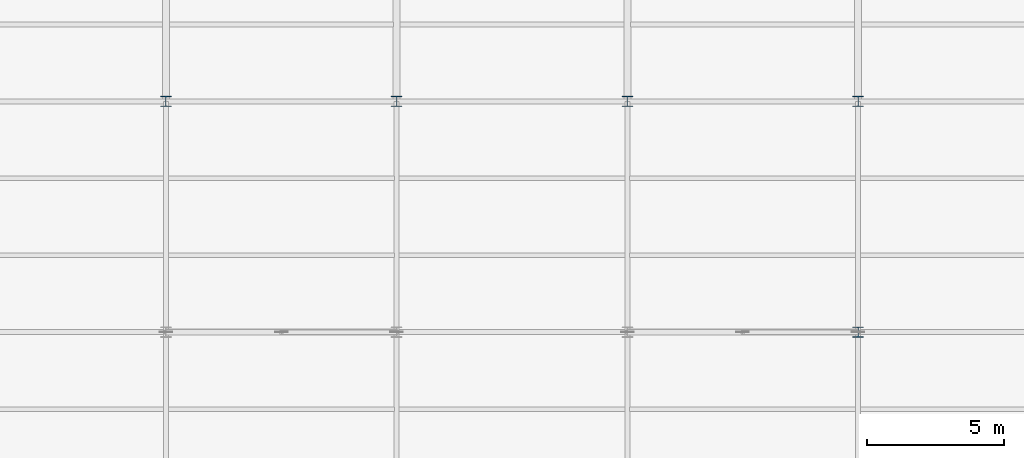
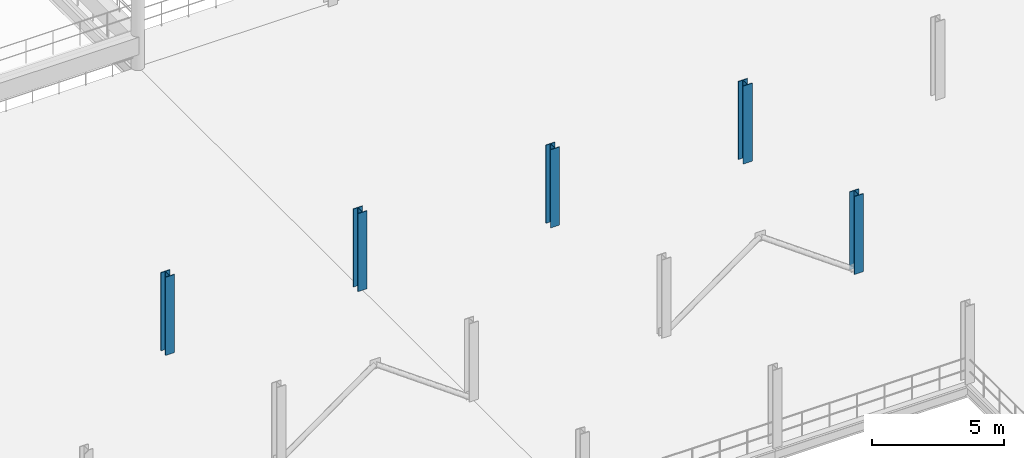
# One storey, part 10 of 101: 5 columns.
"""IFC4 building model written with IfcOpenShell, lengths in metres."""

import ifcopenshell
import ifcopenshell.guid

model = None  # the IFC model being written
_history = None  # IfcOwnerHistory: only IFC2X3 demands one
_inside = {}  # id of a spatial element -> (the spatial element, [elements in it])
_under = {}  # id of a project, library or spatial element -> (it, [spatial elements below it])
_declared = {}  # id of a project -> (the project, [libraries it declares])
_typed = {}  # id of a type object -> (the type object, [elements of that type])
_made_of = {}  # id of a material, layer set ... -> (it, [elements and type objects made of it])


def new_model(schema):
    """Start an empty IFC model of exactly this schema.

    Asked for "IFC4X3", IfcOpenShell would pick the latest addendum, in which some entities
    have other attributes; the version numbers below select the first issue.
    IFC2X3 requires an IfcOwnerHistory on every rooted entity: one is made here for all.
    """
    global model, _history
    if schema == "IFC4X3":
        model = ifcopenshell.file(schema_version=(4, 3, 0, 0))
    else:
        model = ifcopenshell.file(schema=schema)
    _inside.clear()
    _under.clear()
    _declared.clear()
    _typed.clear()
    _made_of.clear()
    _history = None
    if model.schema == "IFC2X3":
        org = make("IfcOrganization", Name="unknown")
        user = make(
            "IfcPersonAndOrganization",
            ThePerson=make("IfcPerson", FamilyName="unknown"),
            TheOrganization=org,
        )
        app = make(
            "IfcApplication",
            ApplicationDeveloper=org,
            Version="unknown",
            ApplicationFullName="unknown",
            ApplicationIdentifier="unknown",
        )
        _history = make(
            "IfcOwnerHistory",
            OwningUser=user,
            OwningApplication=app,
            ChangeAction="ADDED",
            CreationDate=0,
        )
    return model


def make(cls, **values):
    """One entity of the class cls with the attributes given. An attribute that is None is left unset."""
    return model.create_entity(
        cls, **{name: value for name, value in values.items() if value is not None}
    )


def rooted(cls, **values):
    """An entity with a GlobalId (a new one), such as an element, a storey or a relation."""
    return make(cls, GlobalId=ifcopenshell.guid.new(), OwnerHistory=_history, **values)


def si_unit(unit_type, name, prefix=None):
    """IfcSIUnit, for example si_unit("LENGTHUNIT", "METRE", prefix="MILLI")."""
    return make("IfcSIUnit", UnitType=unit_type, Prefix=prefix, Name=name)


def assignment(units):
    """IfcUnitAssignment: the units of a project."""
    return None if units is None else make("IfcUnitAssignment", Units=units)


def point(xyz):
    """IfcCartesianPoint."""
    return None if xyz is None else make("IfcCartesianPoint", Coordinates=xyz)


def direction(xyz):
    """IfcDirection."""
    return None if xyz is None else make("IfcDirection", DirectionRatios=xyz)


def frame(location, z_axis=None, x_axis=None):
    """IfcAxis2Placement3D, a coordinate frame: its origin and axes. An axis left out is left unset."""
    return make(
        "IfcAxis2Placement3D",
        Location=point(location),
        Axis=direction(z_axis),
        RefDirection=direction(x_axis),
    )


def frame_2d(location, x_axis=None):
    """IfcAxis2Placement2D, a coordinate frame in the plane: its origin and x axis."""
    return make(
        "IfcAxis2Placement2D", Location=point(location), RefDirection=direction(x_axis)
    )


def origin():
    """The frame at (0, 0, 0) with its axes left unset."""
    return frame((0.0, 0.0, 0.0))


def origin_2d():
    """The frame at (0, 0) in the plane with its x axis left unset."""
    return frame_2d((0.0, 0.0))


def place(relative_to, where):
    """IfcLocalPlacement: puts the frame where relative to a parent placement (None: the world)."""
    return make(
        "IfcLocalPlacement", PlacementRelTo=relative_to, RelativePlacement=where
    )


def context(
    kind, dimensions, precision=None, world=None, true_north=None, identifier=None
):
    """IfcGeometricRepresentationContext, for example the 3D "Model" context."""
    return make(
        "IfcGeometricRepresentationContext",
        ContextIdentifier=identifier,
        ContextType=kind,
        CoordinateSpaceDimension=dimensions,
        Precision=precision,
        WorldCoordinateSystem=world,
        TrueNorth=true_north,
    )


def subcontext(parent, identifier, kind, view, scale=None):
    """IfcGeometricRepresentationSubContext, for example "Body" below "Model"."""
    return make(
        "IfcGeometricRepresentationSubContext",
        ContextIdentifier=identifier,
        ContextType=kind,
        ParentContext=parent,
        TargetScale=scale,
        TargetView=view,
    )


def project(units=None, contexts=None):
    """IfcProject with its units and contexts."""
    return rooted(
        "IfcProject",
        Name="project",
        RepresentationContexts=contexts,
        UnitsInContext=assignment(units),
    )


def spatial(cls, under=None, at=None, **own):
    """A site, building, storey or space (cls), placed at a placement, below another one or the project."""
    s = rooted(cls, ObjectPlacement=at, **own)
    if under is not None:
        _under.setdefault(under.id(), (under, []))[1].append(s)
    return s


def profile(cls, at=None, kind="AREA", **sizes):
    """A parametric profile (cls). Its sizes go by their IFC names, for example OverallWidth=200.0."""
    return make(cls, ProfileType=kind, Position=at, **sizes)


def i_section(**sizes):
    """IfcIShapeProfileDef."""
    return profile("IfcIShapeProfileDef", **sizes)


def extrude(swept, where, along, depth):
    """IfcExtrudedAreaSolid: the profile swept, set in the frame where, extruded along a direction by depth."""
    return make(
        "IfcExtrudedAreaSolid",
        SweptArea=swept,
        Position=where,
        ExtrudedDirection=direction(along),
        Depth=depth,
    )


def shape(context_of_items, identifier, shape_type, items):
    """IfcShapeRepresentation: the items that make up one representation, for example the "Body"."""
    return make(
        "IfcShapeRepresentation",
        ContextOfItems=context_of_items,
        RepresentationIdentifier=identifier,
        RepresentationType=shape_type,
        Items=items,
    )


def material(Name=None, Category=None):
    """IfcMaterial."""
    return make("IfcMaterial", Name=Name, Category=Category)


def material_profile(
    of_material, cross_section, Name=None, Category=None, Priority=None
):
    """IfcMaterialProfile: a cross section and its material."""
    return make(
        "IfcMaterialProfile",
        Name=Name,
        Material=of_material,
        Profile=cross_section,
        Priority=Priority,
        Category=Category,
    )


def profile_set(profiles, Name=None, composite=None):
    """IfcMaterialProfileSet."""
    return make(
        "IfcMaterialProfileSet",
        Name=Name,
        MaterialProfiles=profiles,
        CompositeProfile=composite,
    )


def made_of(thing, what):
    """Note that an element or type object is made of a material, layer set ...; save() writes the relation."""
    if what is not None:
        _made_of.setdefault(what.id(), (what, []))[1].append(thing)
    return thing


def type_object(cls, material=None, **own):
    """A type object (cls), such as IfcWallType, which elements share."""
    return made_of(rooted(cls, **own), material)


def element(
    cls,
    number,
    at=None,
    inside=None,
    cuts=None,
    type_object=None,
    material=None,
    context=None,
    identifier="Body",
    shape_type=None,
    held_by="IfcProductDefinitionShape",
    body=None,
    shapes=None,
    **own,
):
    """One element of the class cls, such as IfcWall. Its Tag is "e" and its number.

    at: its placement. inside: the storey or other place that contains it. cuts: it is an
    opening in that element (IfcRelVoidsElement). A single representation is given by context,
    identifier, shape_type and body (its items); several are given by shapes. held_by: the class
    of the entity that holds the representations. save() writes the other relations.
    """
    e = rooted(cls, Tag="e%d" % number, ObjectPlacement=at, **own)
    if body is not None:
        shapes = [shape(context, identifier, shape_type, body)]
    if shapes is not None:
        e.Representation = make(held_by, Representations=shapes)
    if inside is not None:
        _inside.setdefault(inside.id(), (inside, []))[1].append(e)
    if cuts is not None:
        rooted(
            "IfcRelVoidsElement", RelatingBuildingElement=cuts, RelatedOpeningElement=e
        )
    if type_object is not None:
        _typed.setdefault(type_object.id(), (type_object, []))[1].append(e)
    return made_of(e, material)


def aggregate(whole, parts):
    """IfcRelAggregates: a whole, such as a stair, and the parts it consists of."""
    return rooted("IfcRelAggregates", RelatingObject=whole, RelatedObjects=parts)


def save(model, path):
    """Write the relations noted so far, then the file.

    IfcRelAggregates (storeys below a building ...), IfcRelContainedInSpatialStructure (elements
    in a storey), IfcRelDefinesByType, IfcRelAssociatesMaterial and IfcRelDeclares: one each for
    every whole, place, type object, material and project.
    """
    for whole, parts in _under.values():
        aggregate(whole, parts)
    for where, things in _inside.values():
        rooted(
            "IfcRelContainedInSpatialStructure",
            RelatedElements=things,
            RelatingStructure=where,
        )
    for kind, things in _typed.values():
        rooted("IfcRelDefinesByType", RelatedObjects=things, RelatingType=kind)
    for what, things in _made_of.values():
        rooted("IfcRelAssociatesMaterial", RelatedObjects=things, RelatingMaterial=what)
    for by, libraries in _declared.values():
        rooted("IfcRelDeclares", RelatingContext=by, RelatedDefinitions=libraries)
    model.write(path)


model = new_model("IFC4")

# Units and contexts
model_context = context("Model", 3, precision=1e-05, world=origin(), true_north=direction((0.0, 1.0)))
body_context = subcontext(model_context, "Body", "Model", "MODEL_VIEW")
ifc_project = project(units=[si_unit("LENGTHUNIT", "METRE"), si_unit("AREAUNIT", "SQUARE_METRE"), si_unit("VOLUMEUNIT", "CUBIC_METRE"), si_unit("PLANEANGLEUNIT", "RADIAN"), si_unit("MASSUNIT", "GRAM", prefix="KILO"), si_unit("THERMODYNAMICTEMPERATUREUNIT", "KELVIN"), si_unit("POWERUNIT", "WATT")], contexts=[model_context])

# Site, building, storey
site_placement = place(None, origin())
site = spatial("IfcSite", under=ifc_project, at=site_placement, CompositionType="ELEMENT")
building_placement = place(site_placement, origin())
building = spatial("IfcBuilding", under=site, at=building_placement, Name="Tembeka Court Mobility Hub", CompositionType="ELEMENT")
storey_placement = place(building_placement, frame((0.0, 0.0, 5.39990234375)))
storey = spatial("IfcBuildingStorey", under=building, at=storey_placement, Name="L01", CompositionType="ELEMENT", Elevation=5.39990234375)

# Columns
ifc_material = material(Name="Steel S355", Category="steel")
ifc_material_profile = material_profile(ifc_material, i_section(OverallWidth=0.39501953125, OverallDepth=0.381103515625, WebThickness=0.018310546875, FlangeThickness=0.0302734375, FilletRadius=0.01513671875, at=origin_2d()), Name="UKC 356x406x235")
ifc_profile_set = profile_set([ifc_material_profile], Name="Steel S355")
column_type = type_object("IfcColumnType", Name="COL-C02", PredefinedType="COLUMN", material=ifc_profile_set)
for number, where, z_axis, x_axis, name in (
    (1, (33.60009765625, 80.39990234375, 0.0), (0.0, 0.0, 1.0), (1.0, 0.0, 0.0), "Column C02 (L01-055)"),
    (2, (42.0, 80.39990234375, 0.0), (0.0, 0.0, 1.0), (1.0, 0.0, 0.0), "Column C02 (L01-067)"),
    (3, (50.39990234375, 80.39990234375, 0.0), (0.0, 0.0, 1.0), (1.0, 0.0, 0.0), "Column C02 (L01-079)"),
    (4, (58.800048828125, 72.0, 0.0), (0.0, 0.0, 1.0), (1.0, 0.0, 0.0), "Column C02 (L01-089)"),
    (5, (58.800048828125, 80.39990234375, 0.0), (0.0, 0.0, 1.0), (1.0, 0.0, 0.0), "Column C02 (L01-090)"),
):
    element("IfcColumn", number, at=place(storey_placement, frame(where, z_axis=z_axis, x_axis=x_axis)), inside=storey, type_object=column_type, Name=name, PredefinedType="COLUMN", context=body_context, shape_type="SweptSolid", body=[
        extrude(i_section(OverallWidth=0.39501953125, OverallDepth=0.381103515625, WebThickness=0.018310546875, FlangeThickness=0.0302734375, FilletRadius=0.01513671875, at=origin_2d()), origin(), (0.0, 0.0, 1.0), 3.60009765625),
    ])

save(model, "model.ifc")
